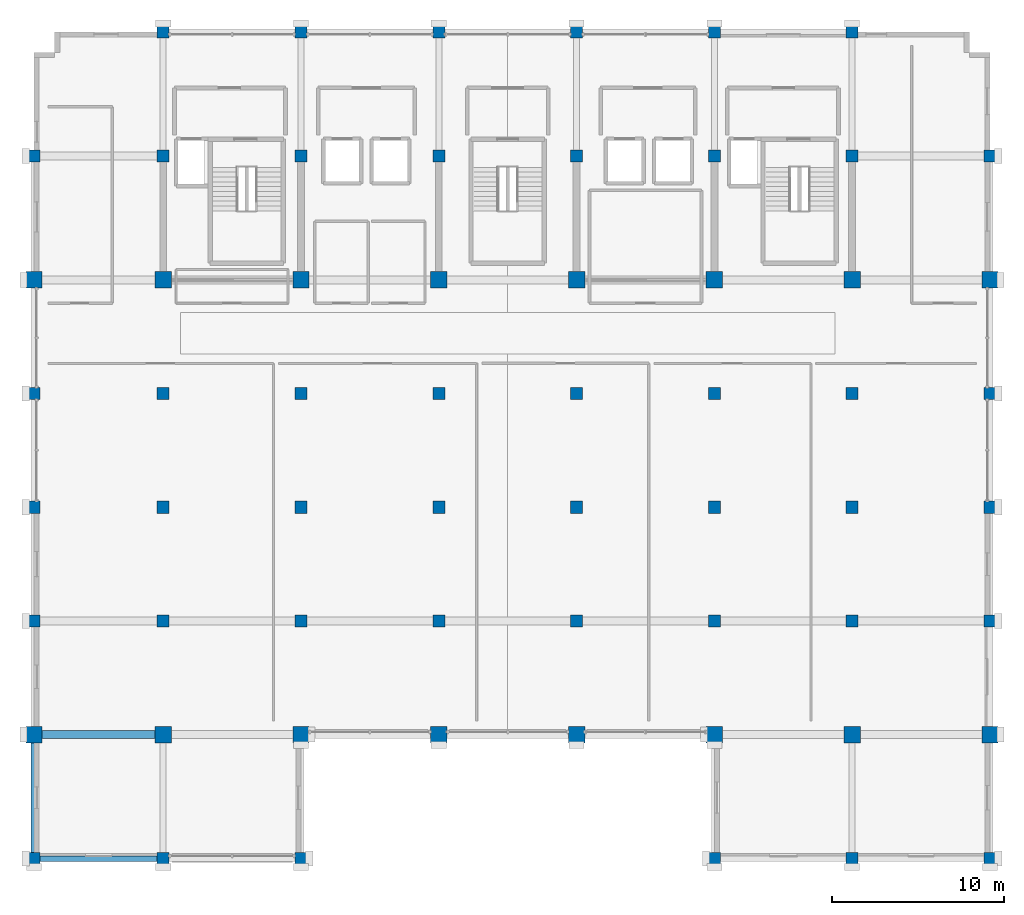
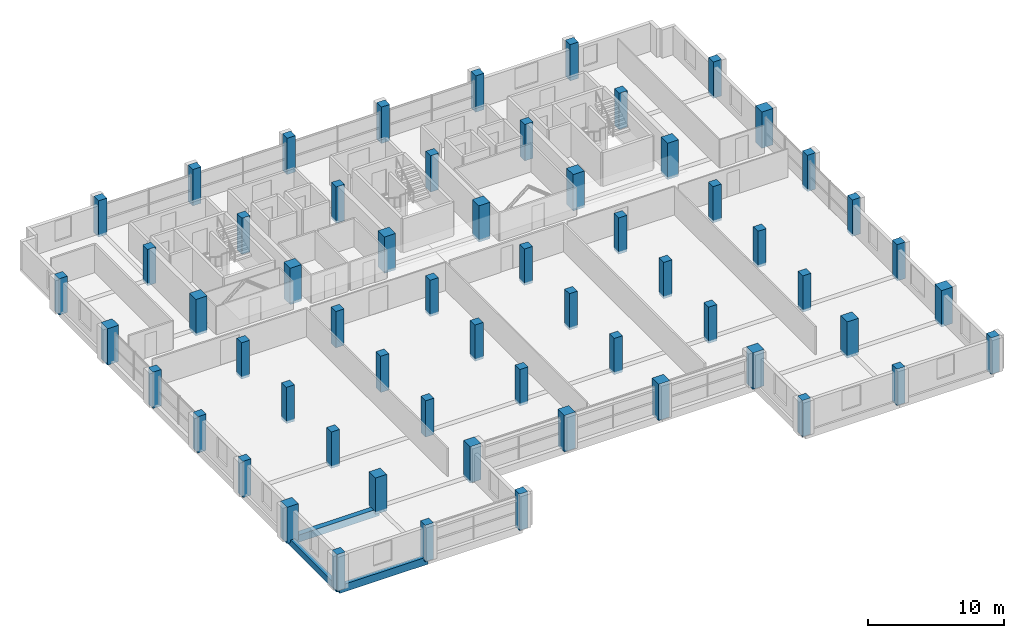
# One storey, part 1 of 25: 60 columns, 3 beams.
"""IFC4 building model written with IfcOpenShell, lengths in metres."""

from ifc_helpers import new_model, si_unit, direction, frame, origin, origin_2d, place, context, subcontext, project, spatial, rectangle, extrude, material, material_profile, profile_set, type_object, element, save


model = new_model("IFC4")

# Units and contexts
model_context = context("Model", 3, precision=1e-05, world=origin(), true_north=direction((0.0, 1.0)))
body_context = subcontext(model_context, "Body", "Model", "MODEL_VIEW")
ifc_project = project(units=[si_unit("LENGTHUNIT", "METRE"), si_unit("AREAUNIT", "SQUARE_METRE"), si_unit("VOLUMEUNIT", "CUBIC_METRE"), si_unit("PLANEANGLEUNIT", "RADIAN"), si_unit("MASSUNIT", "GRAM", prefix="KILO")], contexts=[model_context])

# Site, building, storey
site_placement = place(None, origin())
site = spatial("IfcSite", under=ifc_project, at=site_placement, CompositionType="ELEMENT")
building_placement = place(site_placement, origin())
building = spatial("IfcBuilding", under=site, at=building_placement, Name="Akrevak Sports Hall", CompositionType="ELEMENT")
storey_placement = place(building_placement, frame((0.0, 0.0, 50.300048828125)))
storey = spatial("IfcBuildingStorey", under=building, at=storey_placement, Name="L12", CompositionType="ELEMENT", Elevation=50.300048828125)

# Columns
ifc_material_1 = material(Name="Concrete C40/50", Category="concrete")
ifc_material_profile_1 = material_profile(ifc_material_1, rectangle(XDim=0.699951171875, YDim=0.699951171875, at=origin_2d()), Name="RC 700x700", Category="concrete")
ifc_profile_set_1 = profile_set([ifc_material_profile_1], Name="Concrete C40/50")
column_type_1 = type_object("IfcColumnType", Name="STR-COL-RC700", PredefinedType="COLUMN", material=ifc_profile_set_1)
for number, where, z_axis, x_axis, name in (
    (1, (52.5, 21.60009765625, -0.22998046875), (0.0, 0.0, 1.0), (1.0, 0.0, 0.0), "Column 8/D (L12)"),
    (2, (52.5, 35.39990234375, -0.22998046875), (0.0, 0.0, 1.0), (1.0, 0.0, 0.0), "Column 8/F (L12)"),
    (3, (52.5, 42.0, -0.22998046875), (0.0, 0.0, 1.0), (1.0, 0.0, 0.0), "Column 8/G (L12)"),
    (4, (52.5, 48.60009765625, -0.22998046875), (0.0, 0.0, 1.0), (1.0, 0.0, 0.0), "Column 8/H (L12)"),
    (5, (52.5, 62.39990234375, -0.22998046875), (0.0, 0.0, 1.0), (1.0, 0.0, 0.0), "Column 8/J (L12)"),
    (6, (60.0, 21.60009765625, -0.22998046875), (0.0, 0.0, 1.0), (1.0, 0.0, 0.0), "Column 9/D (L12)"),
    (7, (60.0, 35.39990234375, -0.22998046875), (0.0, 0.0, 1.0), (1.0, 0.0, 0.0), "Column 9/F (L12)"),
    (8, (60.0, 42.0, -0.22998046875), (0.0, 0.0, 1.0), (1.0, 0.0, 0.0), "Column 9/G (L12)"),
    (9, (60.0, 48.60009765625, -0.22998046875), (0.0, 0.0, 1.0), (1.0, 0.0, 0.0), "Column 9/H (L12)"),
    (10, (60.0, 62.39990234375, -0.22998046875), (0.0, 0.0, 1.0), (1.0, 0.0, 0.0), "Column 9/J (L12)"),
    (11, (60.0, 69.60009765625, -0.22998046875), (0.0, 0.0, 1.0), (1.0, 0.0, 0.0), "Column 9/K (L12)"),
    (12, (68.0, 21.60009765625, -0.22998046875), (0.0, 0.0, 1.0), (1.0, 0.0, 0.0), "Column 10/D (L12)"),
    (13, (68.0, 35.39990234375, -0.22998046875), (0.0, 0.0, 1.0), (1.0, 0.0, 0.0), "Column 10/F (L12)"),
    (14, (68.0, 42.0, -0.22998046875), (0.0, 0.0, 1.0), (1.0, 0.0, 0.0), "Column 10/G (L12)"),
    (15, (68.0, 48.60009765625, -0.22998046875), (0.0, 0.0, 1.0), (1.0, 0.0, 0.0), "Column 10/H (L12)"),
    (16, (68.0, 62.39990234375, -0.22998046875), (0.0, 0.0, 1.0), (1.0, 0.0, 0.0), "Column 10/J (L12)"),
    (17, (68.0, 69.60009765625, -0.22998046875), (0.0, 0.0, 1.0), (1.0, 0.0, 0.0), "Column 10/K (L12)"),
    (18, (76.0, 35.39990234375, -0.22998046875), (0.0, 0.0, 1.0), (1.0, 0.0, 0.0), "Column 11/F (L12)"),
    (19, (76.0, 42.0, -0.22998046875), (0.0, 0.0, 1.0), (1.0, 0.0, 0.0), "Column 11/G (L12)"),
    (20, (76.0, 48.60009765625, -0.22998046875), (0.0, 0.0, 1.0), (1.0, 0.0, 0.0), "Column 11/H (L12)"),
    (21, (76.0, 62.39990234375, -0.22998046875), (0.0, 0.0, 1.0), (1.0, 0.0, 0.0), "Column 11/J (L12)"),
    (22, (76.0, 69.60009765625, -0.22998046875), (0.0, 0.0, 1.0), (1.0, 0.0, 0.0), "Column 11/K (L12)"),
    (23, (84.0, 35.39990234375, -0.22998046875), (0.0, 0.0, 1.0), (1.0, 0.0, 0.0), "Column 12/F (L12)"),
    (24, (84.0, 42.0, -0.22998046875), (0.0, 0.0, 1.0), (1.0, 0.0, 0.0), "Column 12/G (L12)"),
    (25, (84.0, 48.60009765625, -0.22998046875), (0.0, 0.0, 1.0), (1.0, 0.0, 0.0), "Column 12/H (L12)"),
    (26, (84.0, 62.39990234375, -0.22998046875), (0.0, 0.0, 1.0), (1.0, 0.0, 0.0), "Column 12/J (L12)"),
    (27, (84.0, 69.60009765625, -0.22998046875), (0.0, 0.0, 1.0), (1.0, 0.0, 0.0), "Column 12/K (L12)"),
    (28, (92.0, 21.60009765625, -0.22998046875), (0.0, 0.0, 1.0), (1.0, 0.0, 0.0), "Column 13/D (L12)"),
    (29, (92.0, 35.39990234375, -0.22998046875), (0.0, 0.0, 1.0), (1.0, 0.0, 0.0), "Column 13/F (L12)"),
    (30, (92.0, 42.0, -0.22998046875), (0.0, 0.0, 1.0), (1.0, 0.0, 0.0), "Column 13/G (L12)"),
    (31, (92.0, 48.60009765625, -0.22998046875), (0.0, 0.0, 1.0), (1.0, 0.0, 0.0), "Column 13/H (L12)"),
    (32, (92.0, 62.39990234375, -0.22998046875), (0.0, 0.0, 1.0), (1.0, 0.0, 0.0), "Column 13/J (L12)"),
    (33, (92.0, 69.60009765625, -0.22998046875), (0.0, 0.0, 1.0), (1.0, 0.0, 0.0), "Column 13/K (L12)"),
    (34, (100.0, 21.60009765625, -0.22998046875), (0.0, 0.0, 1.0), (1.0, 0.0, 0.0), "Column 14/D (L12)"),
    (35, (100.0, 35.39990234375, -0.22998046875), (0.0, 0.0, 1.0), (1.0, 0.0, 0.0), "Column 14/F (L12)"),
    (36, (100.0, 42.0, -0.22998046875), (0.0, 0.0, 1.0), (1.0, 0.0, 0.0), "Column 14/G (L12)"),
    (37, (100.0, 48.60009765625, -0.22998046875), (0.0, 0.0, 1.0), (1.0, 0.0, 0.0), "Column 14/H (L12)"),
    (38, (100.0, 62.39990234375, -0.22998046875), (0.0, 0.0, 1.0), (1.0, 0.0, 0.0), "Column 14/J (L12)"),
    (39, (100.0, 69.60009765625, -0.22998046875), (0.0, 0.0, 1.0), (1.0, 0.0, 0.0), "Column 14/K (L12)"),
    (40, (108.0, 21.60009765625, -0.22998046875), (0.0, 0.0, 1.0), (1.0, 0.0, 0.0), "Column 15/D (L12)"),
    (41, (108.0, 35.39990234375, -0.22998046875), (0.0, 0.0, 1.0), (1.0, 0.0, 0.0), "Column 15/F (L12)"),
    (42, (108.0, 42.0, -0.22998046875), (0.0, 0.0, 1.0), (1.0, 0.0, 0.0), "Column 15/G (L12)"),
    (43, (108.0, 48.60009765625, -0.22998046875), (0.0, 0.0, 1.0), (1.0, 0.0, 0.0), "Column 15/H (L12)"),
    (44, (108.0, 62.39990234375, -0.22998046875), (0.0, 0.0, 1.0), (1.0, 0.0, 0.0), "Column 15/J (L12)"),
):
    element("IfcColumn", number, at=place(storey_placement, frame(where, z_axis=z_axis, x_axis=x_axis)), inside=storey, type_object=column_type_1, Name=name, PredefinedType="COLUMN", context=body_context, shape_type="SweptSolid", body=[
        extrude(rectangle(XDim=0.699951171875, YDim=0.699951171875, at=origin_2d()), origin(), (0.0, 0.0, 1.0), 3.260009765625),
    ])
ifc_material_2 = material(Name="Concrete C50/60", Category="concrete")
ifc_material_profile_2 = material_profile(ifc_material_2, rectangle(XDim=0.949951171875, YDim=0.949951171875, at=origin_2d()), Name="RC 950x950", Category="concrete")
ifc_profile_set_2 = profile_set([ifc_material_profile_2], Name="Concrete C50/60")
column_type_2 = type_object("IfcColumnType", Name="STR-COL-RC950", PredefinedType="COLUMN", material=ifc_profile_set_2)
for number, where, z_axis, x_axis, name in (
    (45, (52.5, 28.800048828125, -0.22998046875), (0.0, 0.0, 1.0), (1.0, 0.0, 0.0), "Column 8/E (L12)"),
    (46, (52.5, 55.199951171875, -0.22998046875), (0.0, 0.0, 1.0), (1.0, 0.0, 0.0), "Column 8/I (L12)"),
    (47, (60.0, 28.800048828125, -0.22998046875), (0.0, 0.0, 1.0), (1.0, 0.0, 0.0), "Column 9/E (L12)"),
    (48, (60.0, 55.199951171875, -0.22998046875), (0.0, 0.0, 1.0), (1.0, 0.0, 0.0), "Column 9/I (L12)"),
    (49, (68.0, 28.800048828125, -0.22998046875), (0.0, 0.0, 1.0), (1.0, 0.0, 0.0), "Column 10/E (L12)"),
    (50, (68.0, 55.199951171875, -0.22998046875), (0.0, 0.0, 1.0), (1.0, 0.0, 0.0), "Column 10/I (L12)"),
    (51, (76.0, 28.800048828125, -0.22998046875), (0.0, 0.0, 1.0), (1.0, 0.0, 0.0), "Column 11/E (L12)"),
    (52, (76.0, 55.199951171875, -0.22998046875), (0.0, 0.0, 1.0), (1.0, 0.0, 0.0), "Column 11/I (L12)"),
    (53, (84.0, 28.800048828125, -0.22998046875), (0.0, 0.0, 1.0), (1.0, 0.0, 0.0), "Column 12/E (L12)"),
    (54, (84.0, 55.199951171875, -0.22998046875), (0.0, 0.0, 1.0), (1.0, 0.0, 0.0), "Column 12/I (L12)"),
    (55, (92.0, 28.800048828125, -0.22998046875), (0.0, 0.0, 1.0), (1.0, 0.0, 0.0), "Column 13/E (L12)"),
    (56, (92.0, 55.199951171875, -0.22998046875), (0.0, 0.0, 1.0), (1.0, 0.0, 0.0), "Column 13/I (L12)"),
    (57, (100.0, 28.800048828125, -0.22998046875), (0.0, 0.0, 1.0), (1.0, 0.0, 0.0), "Column 14/E (L12)"),
    (58, (100.0, 55.199951171875, -0.22998046875), (0.0, 0.0, 1.0), (1.0, 0.0, 0.0), "Column 14/I (L12)"),
    (59, (108.0, 28.800048828125, -0.22998046875), (0.0, 0.0, 1.0), (1.0, 0.0, 0.0), "Column 15/E (L12)"),
    (60, (108.0, 55.199951171875, -0.22998046875), (0.0, 0.0, 1.0), (1.0, 0.0, 0.0), "Column 15/I (L12)"),
):
    element("IfcColumn", number, at=place(storey_placement, frame(where, z_axis=z_axis, x_axis=x_axis)), inside=storey, type_object=column_type_2, Name=name, PredefinedType="COLUMN", context=body_context, shape_type="SweptSolid", body=[
        extrude(rectangle(XDim=0.949951171875, YDim=0.949951171875, at=origin_2d()), origin(), (0.0, 0.0, 1.0), 3.260009765625),
    ])

# Beams
ifc_material_profile_3 = material_profile(ifc_material_1, rectangle(XDim=0.35009765625, YDim=0.60009765625, at=origin_2d()), Name="BM 350x600", Category="concrete")
ifc_profile_set_3 = profile_set([ifc_material_profile_3], Name="Concrete C40/50")
beam_type_1 = type_object("IfcBeamType", Name="STR-BM-RC350x600", PredefinedType="BEAM", material=ifc_profile_set_3)
beam_1_placement = place(storey_placement, frame((52.5, 21.60009765625, -0.300048828125), z_axis=(0.0, 1.0, 0.0), x_axis=(-1.0, 0.0, 0.0)))
element("IfcBeam", 61, at=beam_1_placement, inside=storey, type_object=beam_type_1, Name="Girder 8/D-E (L12)", PredefinedType="BEAM", context=body_context, shape_type="SweptSolid", body=[
    extrude(rectangle(XDim=0.35009765625, YDim=0.60009765625, at=origin_2d()), origin(), (0.0, 0.0, 1.0), 7.199951171875),
])
ifc_material_profile_4 = material_profile(ifc_material_1, rectangle(XDim=0.449951171875, YDim=0.64990234375, at=origin_2d()), Name="BM 450x650", Category="concrete")
ifc_profile_set_4 = profile_set([ifc_material_profile_4], Name="Concrete C40/50")
beam_type_2 = type_object("IfcBeamType", Name="STR-BM-RC450x650", PredefinedType="BEAM", material=ifc_profile_set_4)
beam_2_placement = place(storey_placement, frame((52.5, 28.800048828125, -0.324951171875), z_axis=(1.0, 0.0, 0.0), x_axis=(0.0, 1.0, 0.0)))
element("IfcBeam", 62, at=beam_2_placement, inside=storey, type_object=beam_type_2, Name="Girder E/8-9 (L12)", PredefinedType="BEAM", context=body_context, shape_type="SweptSolid", body=[
    extrude(rectangle(XDim=0.449951171875, YDim=0.64990234375, at=origin_2d()), origin(), (0.0, 0.0, 1.0), 7.5),
])
ifc_material_profile_5 = material_profile(ifc_material_1, rectangle(XDim=0.320068359375, YDim=0.679931640625, at=origin_2d()), Name="SPD 320x680", Category="concrete")
ifc_profile_set_5 = profile_set([ifc_material_profile_5], Name="Concrete C40/50")
beam_type_3 = type_object("IfcBeamType", Name="STR-SPD-RC320x680", PredefinedType="SPANDREL", material=ifc_profile_set_5)
beam_3_placement = place(storey_placement, frame((52.5, 21.60009765625, -0.340087890625), z_axis=(1.0, 0.0, 0.0), x_axis=(0.0, 1.0, 0.0)))
element("IfcBeam", 63, at=beam_3_placement, inside=storey, type_object=beam_type_3, Name="Girder D/8-9 (L12)", PredefinedType="SPANDREL", context=body_context, shape_type="SweptSolid", body=[
    extrude(rectangle(XDim=0.320068359375, YDim=0.679931640625, at=origin_2d()), origin(), (0.0, 0.0, 1.0), 7.5),
])

save(model, "model.ifc")
